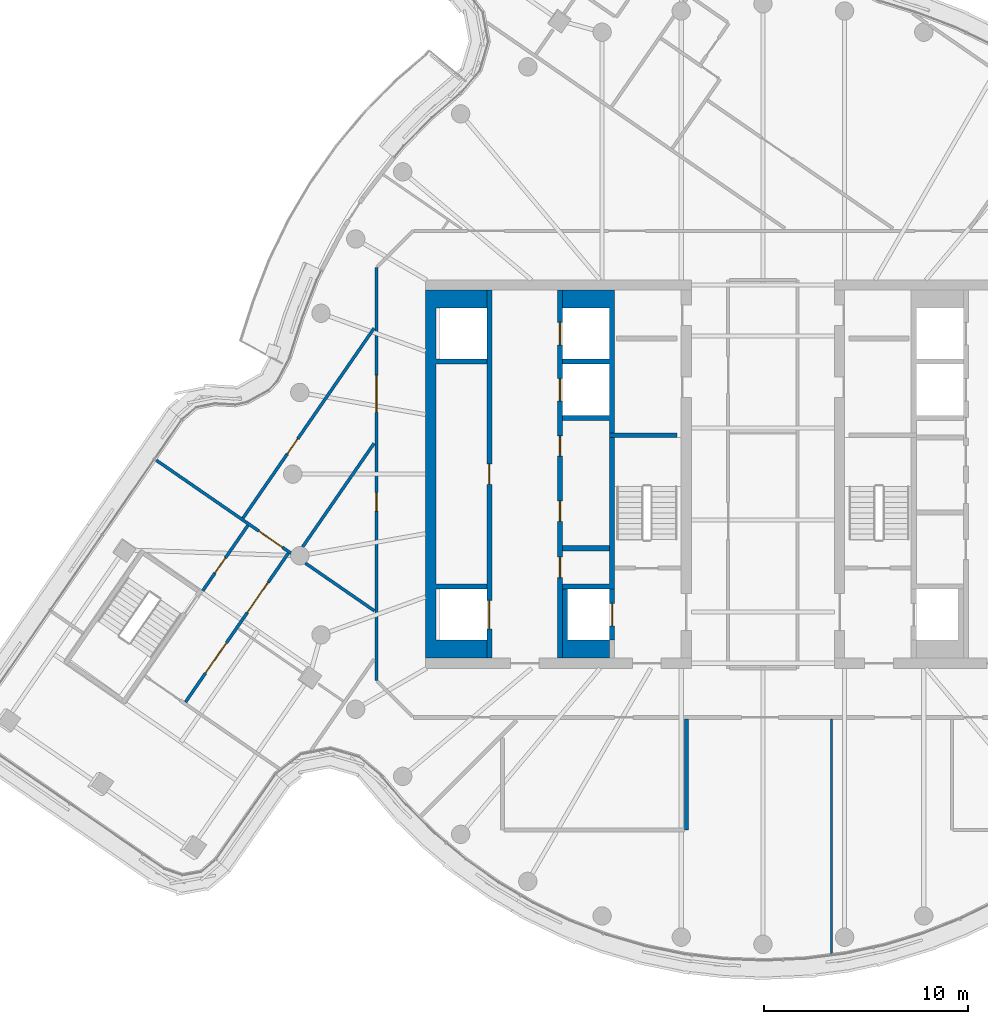
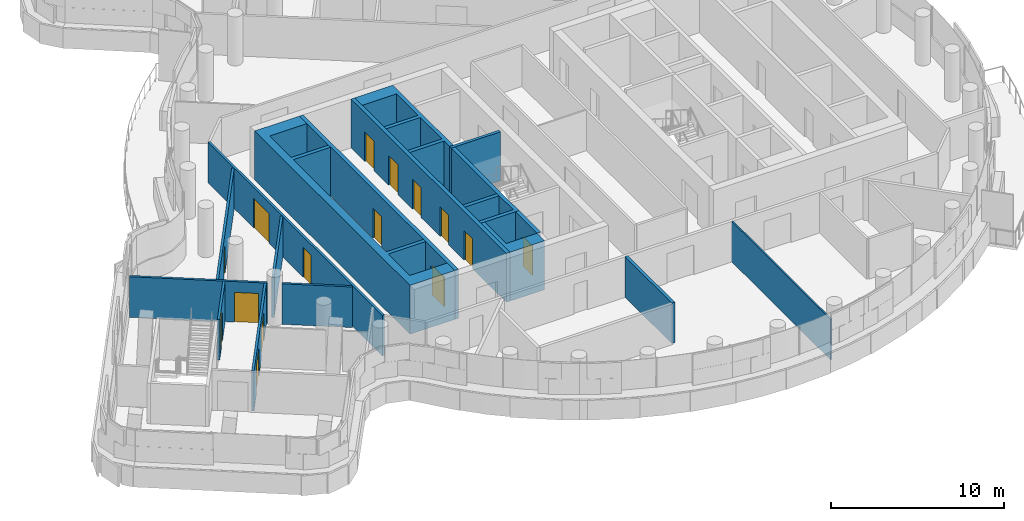
# One storey, part 16 of 26: 17 walls, 15 doors, 15 openings.
"""IFC4 building model written with IfcOpenShell, lengths in metres."""

from ifc_helpers import new_model, si_unit, direction, frame, frame_2d, origin, place, context, subcontext, project, spatial, polyline, rectangle, outline, extrude, material, layer, layer_set, type_object, element, fill, save


model = new_model("IFC4")

# Units and contexts
model_context = context("Model", 3, precision=1e-05, world=origin(), true_north=direction((0.0, 1.0)))
body_context = subcontext(model_context, "Body", "Model", "MODEL_VIEW")
ifc_project = project(units=[si_unit("LENGTHUNIT", "METRE"), si_unit("AREAUNIT", "SQUARE_METRE"), si_unit("VOLUMEUNIT", "CUBIC_METRE"), si_unit("PLANEANGLEUNIT", "RADIAN"), si_unit("MASSUNIT", "GRAM", prefix="KILO")], contexts=[model_context])

# Site, building, storey
site_placement = place(None, origin())
site = spatial("IfcSite", under=ifc_project, at=site_placement, CompositionType="ELEMENT")
building_placement = place(site_placement, origin())
building = spatial("IfcBuilding", under=site, at=building_placement, Name="Tamarind Cross Interchange Tower", CompositionType="ELEMENT")
storey_placement = place(building_placement, frame((0.0, 0.0, 234.300048828125)))
storey = spatial("IfcBuildingStorey", under=building, at=storey_placement, Name="L59", CompositionType="ELEMENT", Elevation=234.300048828125)

# Walls
ifc_material_1 = material(Name="Concrete C50", Category="concrete")
ifc_layer_1 = layer(ifc_material_1, 0.5)
ifc_layer_set_1 = layer_set([ifc_layer_1], Name="Concrete C50")
wall_type_1 = type_object("IfcWallType", Name="Core wall 500 mm Concrete C50", PredefinedType="SHEAR", material=ifc_layer_set_1)
wall_1_placement = place(storey_placement, origin())
element("IfcWall", 1, at=wall_1_placement, inside=storey, type_object=wall_type_1, Name="Core wall CWL-L59-W-A", PredefinedType="SHEAR", context=body_context, shape_type="SweptSolid", body=[
    extrude(outline(polyline([(-13.5, -8.125), (-16.0, -8.125), (-16.0, -5.625), (-13.5, -5.625), (-13.5, -5.375), (-16.0, -5.375), (-16.0, 5.375), (-13.5, 5.375), (-13.5, 5.625), (-16.0, 5.625), (-16.0, 8.125), (-13.5, 8.125), (-13.5, 9.0), (-16.0, 9.0), (-16.5, 9.0), (-16.5, -9.0), (-16.0, -9.0), (-13.5, -9.0), (-13.5, -8.125)])), origin(), (0.0, 0.0, 1.0), 3.4599609375),
])
ifc_layer_2 = layer(ifc_material_1, 0.199951171875)
ifc_layer_set_2 = layer_set([ifc_layer_2], Name="Concrete C50")
wall_type_2 = type_object("IfcWallType", Name="Core web wall 200 mm Concrete C50", PredefinedType="SHEAR", material=ifc_layer_set_2)
wall_2_placement = place(storey_placement, frame((-7.5, 1.89990234375, 0.0), z_axis=(0.0, 0.0, 1.0), x_axis=(1.0, 0.0, 0.0)))
element("IfcWall", 2, at=wall_2_placement, inside=storey, type_object=wall_type_2, Name="Core wall CWL-L59-W-BD", PredefinedType="SHEAR", context=body_context, shape_type="SweptSolid", body=[
    extrude(rectangle(XDim=3.300048828125, YDim=0.199951171875, at=frame_2d((1.64990234375, 0.0))), origin(), (0.0, 0.0, 1.0), 3.4599609375),
])
ifc_layer_3 = layer(ifc_material_1, 0.25)
ifc_layer_set_3 = layer_set([ifc_layer_3], Name="Concrete C50")
wall_type_3 = type_object("IfcWallType", Name="Core web wall 250 mm Concrete C50", PredefinedType="SHEAR", material=ifc_layer_set_3)
wall_3_placement = place(storey_placement, origin())
element("IfcWall", 3, at=wall_3_placement, inside=storey, type_object=wall_type_3, Name="Core wall CWL-L59-W-BN", PredefinedType="SHEAR", context=body_context, shape_type="SweptSolid", body=[
    extrude(outline(polyline([(-9.800048828125, -5.375), (-9.800048828125, -5.625), (-7.5, -5.625), (-7.25, -5.625), (-7.25, 9.0), (-7.5, 9.0), (-9.800048828125, 9.0), (-9.800048828125, 8.125), (-7.5, 8.125), (-7.5, 5.625), (-9.800048828125, 5.625), (-9.800048828125, 5.375), (-7.5, 5.375), (-7.5, 2.875), (-9.800048828125, 2.875), (-9.800048828125, 2.625), (-7.5, 2.625), (-7.5, -5.375), (-9.800048828125, -5.375)])), origin(), (0.0, 0.0, 1.0), 3.4599609375),
])
wall_4_placement = place(storey_placement, origin())
element("IfcWall", 4, at=wall_4_placement, inside=storey, type_object=wall_type_3, Name="Core wall CWL-L59-W-BS", PredefinedType="SHEAR", context=body_context, shape_type="SweptSolid", body=[
    extrude(outline(polyline([(-7.5, -8.125), (-9.550048828125, -8.125), (-9.550048828125, -5.625), (-9.800048828125, -5.625), (-9.800048828125, -8.125), (-9.800048828125, -9.0), (-7.5, -9.0), (-7.5, -8.125)])), origin(), (0.0, 0.0, 1.0), 3.4599609375),
])

# Wall, openings, doors
wall_5_placement = place(storey_placement, frame((-13.375, -9.0, 0.0), z_axis=(0.0, 0.0, 1.0), x_axis=(0.0, 1.0, 0.0)))
wall_5 = element("IfcWall", 5, at=wall_5_placement, inside=storey, type_object=wall_type_3, Name="Core wall CWL-L59-W-LA", PredefinedType="SHEAR", context=body_context, shape_type="SweptSolid", body=[
    extrude(rectangle(XDim=18.0, YDim=0.25, at=frame_2d((9.0, 0.0))), origin(), (0.0, 0.0, 1.0), 3.4599609375),
])
opening_1_placement = place(wall_5_placement, frame((1.425048828125, 0.0, 0.0)))
opening_1 = element("IfcOpeningElement", 6, at=opening_1_placement, cuts=wall_5, Name="Opening LD1L59", PredefinedType="OPENING", context=body_context, shape_type="SweptSolid", body=[
    extrude(rectangle(XDim=1.39990234375, YDim=2.10009765625, at=frame_2d((0.699951171875, 1.050048828125))), frame((0.0, 0.135009765625, 0.0), z_axis=(0.0, -1.0, 0.0), x_axis=(1.0, 0.0, 0.0)), (0.0, 0.0, 1.0), 0.27001953125),
])
opening_2_placement = place(wall_5_placement, frame((8.5, 0.0, 0.0)))
opening_2 = element("IfcOpeningElement", 7, at=opening_2_placement, cuts=wall_5, Name="Opening DCW9", PredefinedType="OPENING", context=body_context, shape_type="SweptSolid", body=[
    extrude(rectangle(XDim=1.0, YDim=2.10009765625, at=frame_2d((0.5, 1.050048828125))), frame((0.0, 0.135009765625, 0.0), z_axis=(0.0, -1.0, 0.0), x_axis=(1.0, 0.0, 0.0)), (0.0, 0.0, 1.0), 0.27001953125),
])
ifc_material_2 = material(Name="Steel, fire-resisting", Category="steel")
door_type_1 = type_object("IfcDoorType", Name="Core fire door 1000 x 2100 FD90", OperationType="SINGLE_SWING_LEFT", PredefinedType="DOOR", material=ifc_material_2)
door_1_placement = place(opening_2_placement, origin())
door_1 = element("IfcDoor", 8, at=door_1_placement, inside=storey, type_object=door_type_1, Name="L59 Linen press door", OperationType="SINGLE_SWING_LEFT", OverallHeight=2.10009765625, OverallWidth=1.0, PredefinedType="DOOR", context=body_context, shape_type="SweptSolid", body=[
    extrude(rectangle(XDim=1.0, YDim=2.10009765625, at=frame_2d((0.5, 1.050048828125))), frame((0.0, 0.02490234375, 0.0), z_axis=(0.0, -1.0, 0.0), x_axis=(1.0, 0.0, 0.0)), (0.0, 0.0, 1.0), 0.050048828125),
])
fill(opening_2, door_1)
ifc_material_3 = material(Name="Stainless steel panel", Category="steel")
door_type_2 = type_object("IfcDoorType", Name="Lift landing door 1400 x 2100 E 120", OperationType="SLIDING_TO_LEFT", PredefinedType="DOOR", material=ifc_material_3)
door_2_placement = place(opening_1_placement, origin())
door_2 = element("IfcDoor", 9, at=door_2_placement, inside=storey, type_object=door_type_2, Name="L59 landing door LF1", OperationType="SLIDING_TO_LEFT", OverallHeight=2.10009765625, OverallWidth=1.39990234375, PredefinedType="DOOR", context=body_context, shape_type="SweptSolid", body=[
    extrude(rectangle(XDim=1.39990234375, YDim=2.10009765625, at=frame_2d((0.699951171875, 1.050048828125))), frame((0.0, 0.02490234375, 0.0), z_axis=(0.0, -1.0, 0.0), x_axis=(1.0, 0.0, 0.0)), (0.0, 0.0, 1.0), 0.050048828125),
])
fill(opening_1, door_2)

wall_6_placement = place(storey_placement, frame((-9.925048828125, -9.0, 0.0), z_axis=(0.0, 0.0, 1.0), x_axis=(0.0, 1.0, 0.0)))
wall_6 = element("IfcWall", 10, at=wall_6_placement, inside=storey, type_object=wall_type_3, Name="Core wall CWL-L59-W-LB", PredefinedType="SHEAR", context=body_context, shape_type="SweptSolid", body=[
    extrude(rectangle(XDim=18.0, YDim=0.25, at=frame_2d((9.0, 0.0))), origin(), (0.0, 0.0, 1.0), 3.4599609375),
])
opening_3_placement = place(wall_6_placement, frame((12.574951171875, 0.0, 0.0)))
opening_3 = element("IfcOpeningElement", 11, at=opening_3_placement, cuts=wall_6, Name="Opening LD11L59", PredefinedType="OPENING", context=body_context, shape_type="SweptSolid", body=[
    extrude(rectangle(XDim=1.10009765625, YDim=2.10009765625, at=frame_2d((0.550048828125, 1.050048828125))), frame((0.0, 0.135009765625, 0.0), z_axis=(0.0, -1.0, 0.0), x_axis=(1.0, 0.0, 0.0)), (0.0, 0.0, 1.0), 0.27001953125),
])
opening_4_placement = place(wall_6_placement, frame((15.324951171875, 0.0, 0.0)))
opening_4 = element("IfcOpeningElement", 12, at=opening_4_placement, cuts=wall_6, Name="Opening LD12L59", PredefinedType="OPENING", context=body_context, shape_type="SweptSolid", body=[
    extrude(rectangle(XDim=1.10009765625, YDim=2.10009765625, at=frame_2d((0.550048828125, 1.050048828125))), frame((0.0, 0.135009765625, 0.0), z_axis=(0.0, -1.0, 0.0), x_axis=(1.0, 0.0, 0.0)), (0.0, 0.0, 1.0), 0.27001953125),
])
opening_5_placement = place(wall_6_placement, frame((3.9375, 0.0, 0.0)))
opening_5 = element("IfcOpeningElement", 13, at=opening_5_placement, cuts=wall_6, Name="Opening DCW21", PredefinedType="OPENING", context=body_context, shape_type="SweptSolid", body=[
    extrude(rectangle(XDim=1.0, YDim=2.10009765625, at=frame_2d((0.5, 1.050048828125))), frame((0.0, 0.135009765625, 0.0), z_axis=(0.0, -1.0, 0.0), x_axis=(1.0, 0.0, 0.0)), (0.0, 0.0, 1.0), 0.27001953125),
])
opening_6_placement = place(wall_6_placement, frame((6.6875, 0.0, 0.0)))
opening_6 = element("IfcOpeningElement", 14, at=opening_6_placement, cuts=wall_6, Name="Opening DCW22", PredefinedType="OPENING", context=body_context, shape_type="SweptSolid", body=[
    extrude(rectangle(XDim=1.0, YDim=2.10009765625, at=frame_2d((0.5, 1.050048828125))), frame((0.0, 0.135009765625, 0.0), z_axis=(0.0, -1.0, 0.0), x_axis=(1.0, 0.0, 0.0)), (0.0, 0.0, 1.0), 0.27001953125),
])
opening_7_placement = place(wall_6_placement, frame((9.875, 0.0, 0.0)))
opening_7 = element("IfcOpeningElement", 15, at=opening_7_placement, cuts=wall_6, Name="Opening DCW21", PredefinedType="OPENING", context=body_context, shape_type="SweptSolid", body=[
    extrude(rectangle(XDim=1.0, YDim=2.10009765625, at=frame_2d((0.5, 1.050048828125))), frame((0.0, 0.135009765625, 0.0), z_axis=(0.0, -1.0, 0.0), x_axis=(1.0, 0.0, 0.0)), (0.0, 0.0, 1.0), 0.27001953125),
])
door_3_placement = place(opening_5_placement, origin())
door_3 = element("IfcDoor", 16, at=door_3_placement, inside=storey, type_object=door_type_1, Name="L59 Hotel pantry door", OperationType="SINGLE_SWING_LEFT", OverallHeight=2.10009765625, OverallWidth=1.0, PredefinedType="DOOR", context=body_context, shape_type="SweptSolid", body=[
    extrude(rectangle(XDim=1.0, YDim=2.10009765625, at=frame_2d((0.5, 1.050048828125))), frame((0.0, 0.02490234375, 0.0), z_axis=(0.0, -1.0, 0.0), x_axis=(1.0, 0.0, 0.0)), (0.0, 0.0, 1.0), 0.050048828125),
])
fill(opening_5, door_3)
door_4_placement = place(opening_6_placement, origin())
door_4 = element("IfcDoor", 17, at=door_4_placement, inside=storey, type_object=door_type_1, Name="L59 Staff changing room door", OperationType="SINGLE_SWING_LEFT", OverallHeight=2.10009765625, OverallWidth=1.0, PredefinedType="DOOR", context=body_context, shape_type="SweptSolid", body=[
    extrude(rectangle(XDim=1.0, YDim=2.10009765625, at=frame_2d((0.5, 1.050048828125))), frame((0.0, 0.02490234375, 0.0), z_axis=(0.0, -1.0, 0.0), x_axis=(1.0, 0.0, 0.0)), (0.0, 0.0, 1.0), 0.050048828125),
])
fill(opening_6, door_4)
door_5_placement = place(opening_7_placement, origin())
door_5 = element("IfcDoor", 18, at=door_5_placement, inside=storey, type_object=door_type_1, Name="L59 Hotel pantry door", OperationType="SINGLE_SWING_LEFT", OverallHeight=2.10009765625, OverallWidth=1.0, PredefinedType="DOOR", context=body_context, shape_type="SweptSolid", body=[
    extrude(rectangle(XDim=1.0, YDim=2.10009765625, at=frame_2d((0.5, 1.050048828125))), frame((0.0, 0.02490234375, 0.0), z_axis=(0.0, -1.0, 0.0), x_axis=(1.0, 0.0, 0.0)), (0.0, 0.0, 1.0), 0.050048828125),
])
fill(opening_7, door_5)
door_type_3 = type_object("IfcDoorType", Name="Lift landing door 1100 x 2100 E 120", OperationType="SLIDING_TO_LEFT", PredefinedType="DOOR", material=ifc_material_3)
door_6_placement = place(opening_3_placement, origin())
door_6 = element("IfcDoor", 19, at=door_6_placement, inside=storey, type_object=door_type_3, Name="L59 landing door LF11", OperationType="SLIDING_TO_LEFT", OverallHeight=2.10009765625, OverallWidth=1.10009765625, PredefinedType="DOOR", context=body_context, shape_type="SweptSolid", body=[
    extrude(rectangle(XDim=1.10009765625, YDim=2.10009765625, at=frame_2d((0.550048828125, 1.050048828125))), frame((0.0, 0.02490234375, 0.0), z_axis=(0.0, -1.0, 0.0), x_axis=(1.0, 0.0, 0.0)), (0.0, 0.0, 1.0), 0.050048828125),
])
fill(opening_3, door_6)
door_7_placement = place(opening_4_placement, origin())
door_7 = element("IfcDoor", 20, at=door_7_placement, inside=storey, type_object=door_type_3, Name="L59 landing door LF12", OperationType="SLIDING_TO_LEFT", OverallHeight=2.10009765625, OverallWidth=1.10009765625, PredefinedType="DOOR", context=body_context, shape_type="SweptSolid", body=[
    extrude(rectangle(XDim=1.10009765625, YDim=2.10009765625, at=frame_2d((0.550048828125, 1.050048828125))), frame((0.0, 0.02490234375, 0.0), z_axis=(0.0, -1.0, 0.0), x_axis=(1.0, 0.0, 0.0)), (0.0, 0.0, 1.0), 0.050048828125),
])
fill(opening_4, door_7)

# Wall, opening, door
wall_7_placement = place(storey_placement, frame((-7.375, -8.125, 0.0), z_axis=(0.0, 0.0, 1.0), x_axis=(0.0, 1.0, 0.0)))
wall_7 = element("IfcWall", 21, at=wall_7_placement, inside=storey, type_object=wall_type_3, Name="Core wall CWL-L59-W-FF", PredefinedType="SHEAR", context=body_context, shape_type="SweptSolid", body=[
    extrude(rectangle(XDim=2.5, YDim=0.25, at=frame_2d((1.25, 0.0))), origin(), (0.0, 0.0, 1.0), 3.4599609375),
])
opening_8_placement = place(wall_7_placement, frame((0.699951171875, 0.0, 0.0)))
opening_8 = element("IfcOpeningElement", 22, at=opening_8_placement, cuts=wall_7, Name="Opening LD7L59", PredefinedType="OPENING", context=body_context, shape_type="SweptSolid", body=[
    extrude(rectangle(XDim=1.10009765625, YDim=2.10009765625, at=frame_2d((0.550048828125, 1.050048828125))), frame((0.0, 0.135009765625, 0.0), z_axis=(0.0, -1.0, 0.0), x_axis=(1.0, 0.0, 0.0)), (0.0, 0.0, 1.0), 0.27001953125),
])
door_8_placement = place(opening_8_placement, origin())
door_8 = element("IfcDoor", 23, at=door_8_placement, inside=storey, type_object=door_type_3, Name="L59 landing door LF7", OperationType="SLIDING_TO_LEFT", OverallHeight=2.10009765625, OverallWidth=1.10009765625, PredefinedType="DOOR", context=body_context, shape_type="SweptSolid", body=[
    extrude(rectangle(XDim=1.10009765625, YDim=2.10009765625, at=frame_2d((0.550048828125, 1.050048828125))), frame((0.0, 0.02490234375, 0.0), z_axis=(0.0, -1.0, 0.0), x_axis=(1.0, 0.0, 0.0)), (0.0, 0.0, 1.0), 0.050048828125),
])
fill(opening_8, door_8)

# Wall
ifc_material_4 = material(Name="Gypsum board partition on steel studs", Category="steel")
ifc_layer_4 = layer(ifc_material_4, 0.10009765625)
ifc_layer_set_4 = layer_set([ifc_layer_4], Name="Gypsum board partition on steel studs")
wall_type_4 = type_object("IfcWallType", Name="Partition 100 mm EI 90", PredefinedType="PARTITIONING", material=ifc_layer_set_4)
wall_8_placement = place(storey_placement, frame((3.347900390625, -23.438720703125, 0.0), z_axis=(0.0, 0.0, 1.0), x_axis=(0.0, 1.0, 0.0)))
element("IfcWall", 24, at=wall_8_placement, inside=storey, type_object=wall_type_4, Name="Partition L59-060", PredefinedType="PARTITIONING", context=body_context, shape_type="SweptSolid", body=[
    extrude(rectangle(XDim=11.458740234375, YDim=0.10009765625, at=frame_2d((5.7294921875, 0.0))), origin(), (0.0, 0.0, 1.0), 2.864013671875),
])

# Wall, opening, door
ifc_layer_5 = layer(ifc_material_4, 0.14990234375)
ifc_layer_set_5 = layer_set([ifc_layer_5], Name="Gypsum board partition on steel studs")
wall_type_5 = type_object("IfcWallType", Name="Partition 150 mm EI 120", PredefinedType="PARTITIONING", material=ifc_layer_set_5)
wall_9_placement = place(storey_placement, frame((-29.671875, 0.67919921875, 0.0), z_axis=(0.0, 0.0, 1.0), x_axis=(0.822906737476, -0.568176470312, 0.0)))
wall_9 = element("IfcWall", 25, at=wall_9_placement, inside=storey, type_object=wall_type_5, Name="Partition L59-006", PredefinedType="PARTITIONING", context=body_context, shape_type="SweptSolid", body=[
    extrude(rectangle(XDim=8.012451171875, YDim=0.14990234375, at=frame_2d((4.00634765625, 0.0))), origin(), (0.0, 0.0, 1.0), 2.864013671875),
])
opening_9_placement = place(wall_9_placement, frame((6.0986328125, 0.0, 0.0)))
opening_9 = element("IfcOpeningElement", 26, at=opening_9_placement, cuts=wall_9, Name="Opening D02", PredefinedType="OPENING", context=body_context, shape_type="SweptSolid", body=[
    extrude(rectangle(XDim=1.39990234375, YDim=2.10009765625, at=frame_2d((0.699951171875, 1.050048828125))), frame((0.0, 0.0849609375, 0.0), z_axis=(0.0, -1.0, 0.0), x_axis=(1.0, 0.0, 0.0)), (0.0, 0.0, 1.0), 0.169921875),
])
ifc_material_5 = material(Name="Fire-resisting door set")
door_type_4 = type_object("IfcDoorType", Name="Interior door 1400 x 2100 FD60S", OperationType="DOUBLE_DOOR_SINGLE_SWING", PredefinedType="DOOR", material=ifc_material_5)
door_9_placement = place(opening_9_placement, origin())
door_9 = element("IfcDoor", 27, at=door_9_placement, inside=storey, type_object=door_type_4, Name="Door D02", OperationType="DOUBLE_DOOR_SINGLE_SWING", OverallHeight=2.10009765625, OverallWidth=1.39990234375, PredefinedType="DOOR", context=body_context, shape_type="SweptSolid", body=[
    extrude(rectangle(XDim=1.39990234375, YDim=2.10009765625, at=frame_2d((0.699951171875, 1.050048828125))), frame((0.0, 0.02490234375, 0.0), z_axis=(0.0, -1.0, 0.0), x_axis=(1.0, 0.0, 0.0)), (0.0, 0.0, 1.0), 0.050048828125),
])
fill(opening_9, door_9)

# Wall
wall_10_placement = place(storey_placement, frame((-22.382080078125, -4.35400390625, 0.0), z_axis=(0.0, 0.0, 1.0), x_axis=(0.822924660703, -0.568150510698, 0.0)))
element("IfcWall", 28, at=wall_10_placement, inside=storey, type_object=wall_type_5, Name="Partition L59-007", PredefinedType="PARTITIONING", context=body_context, shape_type="SweptSolid", body=[
    extrude(rectangle(XDim=4.11181640625, YDim=0.14990234375, at=frame_2d((2.055908203125, 0.0))), origin(), (0.0, 0.0, 1.0), 2.864013671875),
])

# Wall, openings, doors
wall_11_placement = place(storey_placement, frame((-28.240478515625, -11.149169921875, 0.0), z_axis=(0.0, 0.0, 1.0), x_axis=(0.568201403556, 0.822889521744, 0.0)))
wall_11 = element("IfcWall", 29, at=wall_11_placement, inside=storey, type_object=wall_type_5, Name="Partition L59-037", PredefinedType="PARTITIONING", context=body_context, shape_type="SweptSolid", body=[
    extrude(rectangle(XDim=8.840087890625, YDim=0.14990234375, at=frame_2d((4.419921875, 0.0))), origin(), (0.0, 0.0, 1.0), 2.864013671875),
])
opening_10_placement = place(wall_11_placement, frame((5.320068359375, 0.0, 0.0)))
opening_10 = element("IfcOpeningElement", 30, at=opening_10_placement, cuts=wall_11, Name="Opening D18", PredefinedType="OPENING", context=body_context, shape_type="SweptSolid", body=[
    extrude(rectangle(XDim=1.800048828125, YDim=2.10009765625, at=frame_2d((0.89990234375, 1.050048828125))), frame((0.0, 0.0849609375, 0.0), z_axis=(0.0, -1.0, 0.0), x_axis=(1.0, 0.0, 0.0)), (0.0, 0.0, 1.0), 0.169921875),
])
opening_11_placement = place(wall_11_placement, frame((1.719970703125, 0.0, 0.0)))
opening_11 = element("IfcOpeningElement", 31, at=opening_11_placement, cuts=wall_11, Name="Opening D19", PredefinedType="OPENING", context=body_context, shape_type="SweptSolid", body=[
    extrude(rectangle(XDim=1.800048828125, YDim=2.10009765625, at=frame_2d((0.89990234375, 1.050048828125))), frame((0.0, 0.0849609375, 0.0), z_axis=(0.0, -1.0, 0.0), x_axis=(1.0, 0.0, 0.0)), (0.0, 0.0, 1.0), 0.169921875),
])
door_type_5 = type_object("IfcDoorType", Name="Interior door 1800 x 2100 FD60S", OperationType="DOUBLE_DOOR_SINGLE_SWING", PredefinedType="DOOR", material=ifc_material_5)
door_10_placement = place(opening_10_placement, frame((1.800048828125, 0.0, 0.0), z_axis=(0.0, 0.0, 1.0), x_axis=(-1.0, 0.0, 0.0)))
door_10 = element("IfcDoor", 32, at=door_10_placement, inside=storey, type_object=door_type_5, Name="Door D18", OperationType="DOUBLE_DOOR_SINGLE_SWING", OverallHeight=2.10009765625, OverallWidth=1.800048828125, PredefinedType="DOOR", context=body_context, shape_type="SweptSolid", body=[
    extrude(rectangle(XDim=1.800048828125, YDim=2.10009765625, at=frame_2d((0.89990234375, 1.050048828125))), frame((0.0, 0.02490234375, 0.0), z_axis=(0.0, -1.0, 0.0), x_axis=(1.0, 0.0, 0.0)), (0.0, 0.0, 1.0), 0.050048828125),
])
fill(opening_10, door_10)
door_11_placement = place(opening_11_placement, frame((1.800048828125, 0.0, 0.0), z_axis=(0.0, 0.0, 1.0), x_axis=(-1.0, 0.0, 0.0)))
door_11 = element("IfcDoor", 33, at=door_11_placement, inside=storey, type_object=door_type_5, Name="Door D19", OperationType="DOUBLE_DOOR_SINGLE_SWING", OverallHeight=2.10009765625, OverallWidth=1.800048828125, PredefinedType="DOOR", context=body_context, shape_type="SweptSolid", body=[
    extrude(rectangle(XDim=1.800048828125, YDim=2.10009765625, at=frame_2d((0.89990234375, 1.050048828125))), frame((0.0, 0.02490234375, 0.0), z_axis=(0.0, -1.0, 0.0), x_axis=(1.0, 0.0, 0.0)), (0.0, 0.0, 1.0), 0.050048828125),
])
fill(opening_11, door_11)

# Wall, opening, door
wall_12_placement = place(storey_placement, frame((-27.397705078125, -5.704345703125, 0.0), z_axis=(0.0, 0.0, 1.0), x_axis=(0.568228242649, 0.822870988829, 0.0)))
wall_12 = element("IfcWall", 34, at=wall_12_placement, inside=storey, type_object=wall_type_5, Name="Partition L59-038", PredefinedType="PARTITIONING", context=body_context, shape_type="SweptSolid", body=[
    extrude(rectangle(XDim=3.881103515625, YDim=0.14990234375, at=frame_2d((1.9404296875, 0.0))), origin(), (0.0, 0.0, 1.0), 2.864013671875),
])
opening_12_placement = place(wall_12_placement, frame((1.050048828125, 0.0, 0.0)))
opening_12 = element("IfcOpeningElement", 35, at=opening_12_placement, cuts=wall_12, Name="Opening D20", PredefinedType="OPENING", context=body_context, shape_type="SweptSolid", body=[
    extrude(rectangle(XDim=0.89990234375, YDim=2.10009765625, at=frame_2d((0.449951171875, 1.050048828125))), frame((0.0, 0.0849609375, 0.0), z_axis=(0.0, -1.0, 0.0), x_axis=(1.0, 0.0, 0.0)), (0.0, 0.0, 1.0), 0.169921875),
])
door_type_6 = type_object("IfcDoorType", Name="Interior door 900 x 2100 FD60S", OperationType="SINGLE_SWING_LEFT", PredefinedType="DOOR", material=ifc_material_5)
door_12_placement = place(opening_12_placement, origin())
door_12 = element("IfcDoor", 36, at=door_12_placement, inside=storey, type_object=door_type_6, Name="Door D20", OperationType="SINGLE_SWING_RIGHT", OverallHeight=2.10009765625, OverallWidth=0.89990234375, PredefinedType="DOOR", context=body_context, shape_type="SweptSolid", body=[
    extrude(rectangle(XDim=0.89990234375, YDim=2.10009765625, at=frame_2d((0.449951171875, 1.050048828125))), frame((0.0, 0.02490234375, 0.0), z_axis=(0.0, -1.0, 0.0), x_axis=(1.0, 0.0, 0.0)), (0.0, 0.0, 1.0), 0.050048828125),
])
fill(opening_12, door_12)

wall_13_placement = place(storey_placement, frame((-25.430419921875, -2.152099609375, 0.0), z_axis=(0.0, 0.0, 1.0), x_axis=(0.56822839498, 0.822870883637, 0.0)))
wall_13 = element("IfcWall", 37, at=wall_13_placement, inside=storey, type_object=wall_type_5, Name="Partition L59-039", PredefinedType="PARTITIONING", context=body_context, shape_type="SweptSolid", body=[
    extrude(rectangle(XDim=11.28271484375, YDim=0.14990234375, at=frame_2d((5.641357421875, 0.0))), origin(), (0.0, 0.0, 1.0), 2.864013671875),
])
opening_13_placement = place(wall_13_placement, frame((3.820068359375, 0.0, 0.0)))
opening_13 = element("IfcOpeningElement", 38, at=opening_13_placement, cuts=wall_13, Name="Opening D21", PredefinedType="OPENING", context=body_context, shape_type="SweptSolid", body=[
    extrude(rectangle(XDim=0.89990234375, YDim=2.10009765625, at=frame_2d((0.449951171875, 1.050048828125))), frame((0.0, 0.0849609375, 0.0), z_axis=(0.0, -1.0, 0.0), x_axis=(1.0, 0.0, 0.0)), (0.0, 0.0, 1.0), 0.169921875),
])
door_13_placement = place(opening_13_placement, origin())
door_13 = element("IfcDoor", 39, at=door_13_placement, inside=storey, type_object=door_type_6, Name="Door D21", OperationType="SINGLE_SWING_RIGHT", OverallHeight=2.10009765625, OverallWidth=0.89990234375, PredefinedType="DOOR", context=body_context, shape_type="SweptSolid", body=[
    extrude(rectangle(XDim=0.89990234375, YDim=2.10009765625, at=frame_2d((0.449951171875, 1.050048828125))), frame((0.0, 0.02490234375, 0.0), z_axis=(0.0, -1.0, 0.0), x_axis=(1.0, 0.0, 0.0)), (0.0, 0.0, 1.0), 0.050048828125),
])
fill(opening_13, door_13)

# Wall
wall_14_placement = place(storey_placement, frame((-22.5205078125, -3.56884765625, 0.0), z_axis=(0.0, 0.0, 1.0), x_axis=(0.568241184692, 0.822862051635, 0.0)))
element("IfcWall", 40, at=wall_14_placement, inside=storey, type_object=wall_type_5, Name="Partition L59-041", PredefinedType="PARTITIONING", context=body_context, shape_type="SweptSolid", body=[
    extrude(rectangle(XDim=6.16162109375, YDim=0.14990234375, at=frame_2d((3.080810546875, 0.0))), origin(), (0.0, 0.0, 1.0), 2.864013671875),
])

# Wall, openings, doors
wall_15_placement = place(storey_placement, frame((-18.89990234375, -10.10009765625, 0.0), z_axis=(0.0, 0.0, 1.0), x_axis=(0.0, 1.0, 0.0)))
wall_15 = element("IfcWall", 41, at=wall_15_placement, inside=storey, type_object=wall_type_5, Name="Partition L59-055", PredefinedType="PARTITIONING", context=body_context, shape_type="SweptSolid", body=[
    extrude(rectangle(XDim=20.2001953125, YDim=0.14990234375, at=frame_2d((10.10009765625, 0.0))), origin(), (0.0, 0.0, 1.0), 2.864013671875),
])
opening_14_placement = place(wall_15_placement, frame((13.1240234375, 0.0, 0.0)))
opening_14 = element("IfcOpeningElement", 42, at=opening_14_placement, cuts=wall_15, Name="Opening D28", PredefinedType="OPENING", context=body_context, shape_type="SweptSolid", body=[
    extrude(rectangle(XDim=1.800048828125, YDim=2.10009765625, at=frame_2d((0.89990234375, 1.050048828125))), frame((0.0, 0.0849609375, 0.0), z_axis=(0.0, -1.0, 0.0), x_axis=(1.0, 0.0, 0.0)), (0.0, 0.0, 1.0), 0.169921875),
])
opening_15_placement = place(wall_15_placement, frame((8.291015625, 0.0, 0.0)))
opening_15 = element("IfcOpeningElement", 43, at=opening_15_placement, cuts=wall_15, Name="Opening D29", PredefinedType="OPENING", context=body_context, shape_type="SweptSolid", body=[
    extrude(rectangle(XDim=0.89990234375, YDim=2.10009765625, at=frame_2d((0.449951171875, 1.050048828125))), frame((0.0, 0.0849609375, 0.0), z_axis=(0.0, -1.0, 0.0), x_axis=(1.0, 0.0, 0.0)), (0.0, 0.0, 1.0), 0.169921875),
])
door_14_placement = place(opening_14_placement, frame((1.800048828125, 0.0, 0.0), z_axis=(0.0, 0.0, 1.0), x_axis=(-1.0, 0.0, 0.0)))
door_14 = element("IfcDoor", 44, at=door_14_placement, inside=storey, type_object=door_type_5, Name="Door D28", OperationType="DOUBLE_DOOR_SINGLE_SWING", OverallHeight=2.10009765625, OverallWidth=1.800048828125, PredefinedType="DOOR", context=body_context, shape_type="SweptSolid", body=[
    extrude(rectangle(XDim=1.800048828125, YDim=2.10009765625, at=frame_2d((0.89990234375, 1.050048828125))), frame((0.0, 0.02490234375, 0.0), z_axis=(0.0, -1.0, 0.0), x_axis=(1.0, 0.0, 0.0)), (0.0, 0.0, 1.0), 0.050048828125),
])
fill(opening_14, door_14)
door_15_placement = place(opening_15_placement, origin())
door_15 = element("IfcDoor", 45, at=door_15_placement, inside=storey, type_object=door_type_6, Name="Door D29", OperationType="SINGLE_SWING_RIGHT", OverallHeight=2.10009765625, OverallWidth=0.89990234375, PredefinedType="DOOR", context=body_context, shape_type="SweptSolid", body=[
    extrude(rectangle(XDim=0.89990234375, YDim=2.10009765625, at=frame_2d((0.449951171875, 1.050048828125))), frame((0.0, 0.02490234375, 0.0), z_axis=(0.0, -1.0, 0.0), x_axis=(1.0, 0.0, 0.0)), (0.0, 0.0, 1.0), 0.050048828125),
])
fill(opening_15, door_15)

# Walls
ifc_layer_6 = layer(ifc_material_4, 0.199951171875)
ifc_layer_set_6 = layer_set([ifc_layer_6], Name="Gypsum board partition on steel studs")
wall_type_6 = type_object("IfcWallType", Name="Partition 200 mm EI 180", PredefinedType="PARTITIONING", material=ifc_layer_set_6)
wall_16_placement = place(storey_placement, frame((-3.740966796875, -17.39990234375, 0.0), z_axis=(0.0, 0.0, 1.0), x_axis=(0.0, 1.0, 0.0)))
element("IfcWall", 46, at=wall_16_placement, inside=storey, type_object=wall_type_6, Name="Partition L59-057", PredefinedType="PARTITIONING", context=body_context, shape_type="SweptSolid", body=[
    extrude(rectangle(XDim=5.419921875, YDim=0.199951171875, at=frame_2d((2.7099609375, 0.0))), origin(), (0.0, 0.0, 1.0), 2.864013671875),
])
ifc_material_6 = material(Name="Concrete C40", Category="concrete")
ifc_layer_7 = layer(ifc_material_6, 0.25)
ifc_layer_set_7 = layer_set([ifc_layer_7], Name="Concrete C40")
wall_type_7 = type_object("IfcWallType", Name="Shaft and lobby wall 250 mm Concrete C40", PredefinedType="PARTITIONING", material=ifc_layer_set_7)
wall_17_placement = place(storey_placement, frame((-9.800048828125, -3.625, 0.0), z_axis=(0.0, 0.0, 1.0), x_axis=(1.0, 0.0, 0.0)))
element("IfcWall", 47, at=wall_17_placement, inside=storey, type_object=wall_type_7, Name="Shaft wall CWL-L59-W-FPB1", PredefinedType="PARTITIONING", context=body_context, shape_type="SweptSolid", body=[
    extrude(rectangle(XDim=2.300048828125, YDim=0.25, at=frame_2d((1.14990234375, 0.0))), origin(), (0.0, 0.0, 1.0), 3.4599609375),
])

save(model, "model.ifc")
